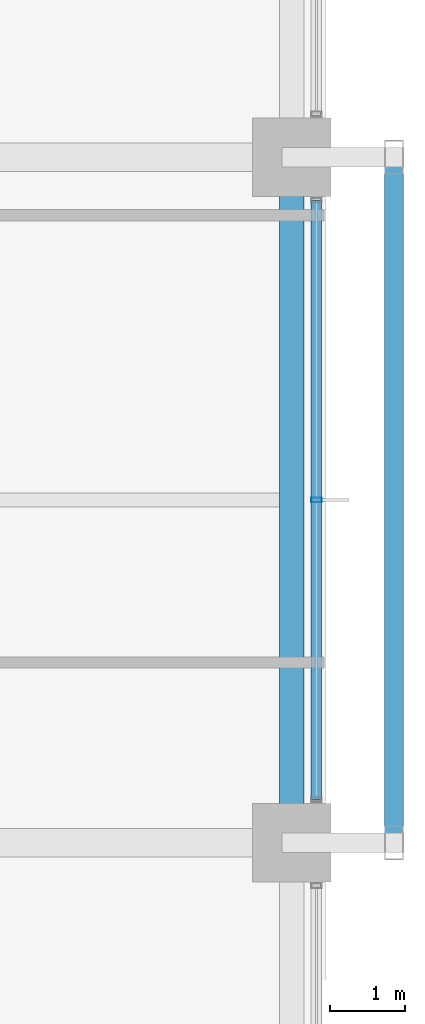
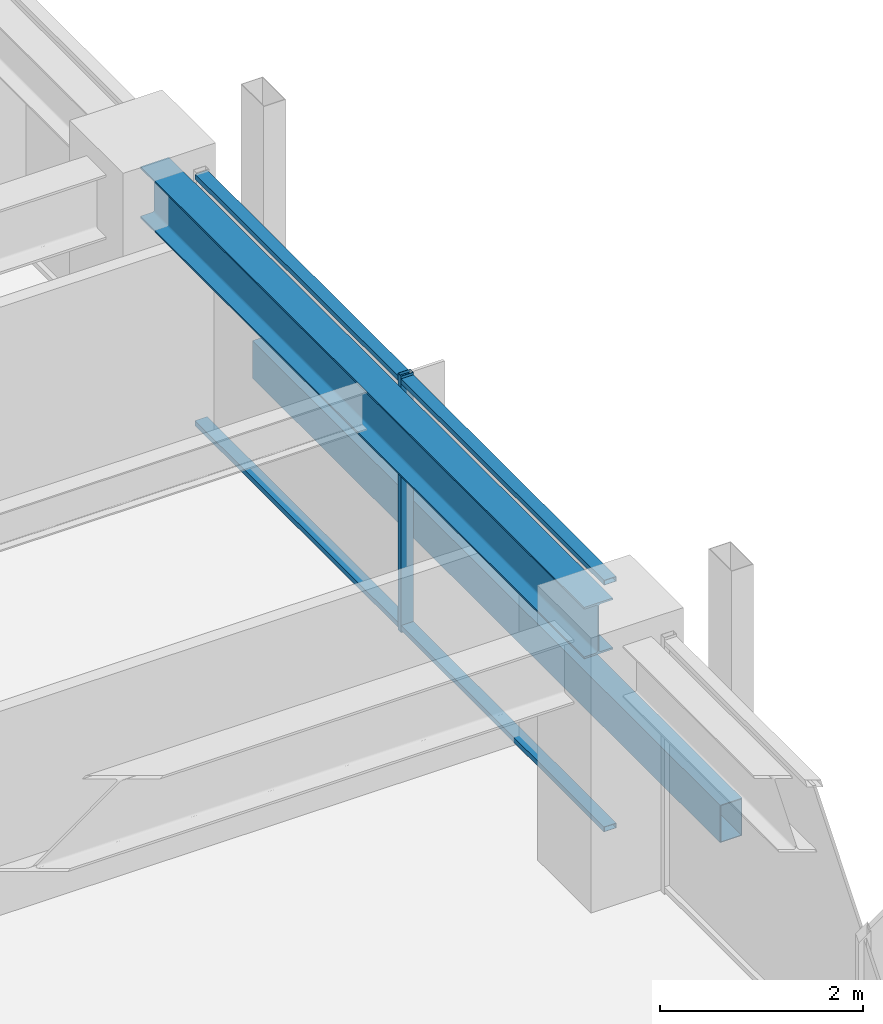
# One storey, part 16 of 38: 4 members, 1 beam, 1 element without a shape of its own.
"""IFC4 building model written with IfcOpenShell, lengths in metres."""

from ifc_helpers import new_model, si_unit, direction, frame, origin, origin_2d, place, context, subcontext, project, spatial, hollow_rectangle, i_section, extrude, material, material_profile, profile_set, type_object, element, aggregate, save


model = new_model("IFC4")

# Units and contexts
model_context = context("Model", 3, precision=1e-05, world=origin(), true_north=direction((0.0, 1.0)))
body_context = subcontext(model_context, "Body", "Model", "MODEL_VIEW")
ifc_project = project(units=[si_unit("LENGTHUNIT", "METRE"), si_unit("AREAUNIT", "SQUARE_METRE"), si_unit("VOLUMEUNIT", "CUBIC_METRE"), si_unit("PLANEANGLEUNIT", "RADIAN"), si_unit("MASSUNIT", "GRAM", prefix="KILO")], contexts=[model_context])

# Site, building, storey
site_placement = place(None, origin())
site = spatial("IfcSite", under=ifc_project, at=site_placement, CompositionType="ELEMENT")
building_placement = place(site_placement, origin())
building = spatial("IfcBuilding", under=site, at=building_placement, Name="Kolvaren Belvedere", CompositionType="ELEMENT")
storey_placement = place(building_placement, frame((0.0, 0.0, 72.199951171875)))
storey = spatial("IfcBuildingStorey", under=building, at=storey_placement, Name="L20", CompositionType="ELEMENT", Elevation=72.199951171875)

# Beam
ifc_material_1 = material(Name="Structural steel ASTM A992 Grade 50", Category="steel")
ifc_material_profile_1 = material_profile(ifc_material_1, i_section(OverallWidth=0.324951171875, OverallDepth=0.615966796875, WebThickness=0.013916015625, FlangeThickness=0.021484375, FilletRadius=0.02001953125, at=origin_2d()), Name="W24X117")
ifc_profile_set_1 = profile_set([ifc_material_profile_1], Name="Structural steel ASTM A992 Grade 50")
beam_type = type_object("IfcBeamType", Name="BM-SPAN-W24X117", PredefinedType="SPANDREL", material=ifc_profile_set_1)
beam_placement = place(storey_placement, frame((19.949951171875, -4.36376953125, 2.77197265625), z_axis=(0.0, 1.0, 0.0), x_axis=(-1.0, 0.0, 0.0)))
element("IfcBeam", 1, at=beam_placement, inside=storey, type_object=beam_type, Name="L20 Perimeter Spandrel E2-E3", PredefinedType="SPANDREL", context=body_context, shape_type="SweptSolid", body=[
    extrude(i_section(OverallWidth=0.324951171875, OverallDepth=0.615966796875, WebThickness=0.013916015625, FlangeThickness=0.021484375, FilletRadius=0.02001953125, at=origin_2d()), origin(), (0.0, 0.0, 1.0), 8.7275390625),
])

# Curtain wall, members
ifc_material_2 = material(Name="Anodised pale-metal aluminium AA 6063-T6", Category="aluminium")
curtain_wall_type = type_object("IfcCurtainWallType", Name="CW-Z2-MID", PredefinedType="NOTDEFINED", material=ifc_material_2)
curtain_wall_placement = place(storey_placement, origin())
curtain_wall = element("IfcCurtainWall", 2, at=curtain_wall_placement, inside=storey, type_object=curtain_wall_type, Name="L20 Unitised Curtain Wall FCW-L20-E-B2", PredefinedType="NOTDEFINED")
ifc_material_3 = material(Name="Anodised pale-metal aluminium AA 6063-T6", Category="aluminium")
ifc_material_profile_2 = material_profile(ifc_material_3, hollow_rectangle(XDim=0.06494140625, YDim=0.139892578125, WallThickness=0.00390625, at=origin_2d()), Name="ALU-MUL-140X65")
ifc_profile_set_2 = profile_set([ifc_material_profile_2], Name="Anodised pale-metal aluminium AA 6063-T6")
member_type_1 = type_object("IfcMemberType", Name="CW-MUL-140", PredefinedType="MULLION", material=ifc_profile_set_2)
member_1_placement = place(storey_placement, frame((20.280029296875, 0.0, 0.0), z_axis=(0.0, 0.0, 1.0), x_axis=(0.0, 1.0, 0.0)))
member_1 = element("IfcMember", 3, at=member_1_placement, type_object=member_type_1, Name="FCW-L20-E-B2 Unitised Mullion 2", PredefinedType="MULLION", context=body_context, shape_type="SweptSolid", body=[
    extrude(hollow_rectangle(XDim=0.06494140625, YDim=0.139892578125, WallThickness=0.00390625, at=origin_2d()), origin(), (0.0, 0.0, 1.0), 3.080078125),
])
ifc_material_4 = material(Name="Anodised pale-metal aluminium AA 6063-T6", Category="aluminium")
ifc_material_profile_3 = material_profile(ifc_material_4, hollow_rectangle(XDim=0.06005859375, YDim=0.139892578125, WallThickness=0.00390625, at=origin_2d()), Name="ALU-TRN-140X60")
ifc_profile_set_3 = profile_set([ifc_material_profile_3], Name="Anodised pale-metal aluminium AA 6063-T6")
member_type_2 = type_object("IfcMemberType", Name="CW-TRN-140", PredefinedType="USERDEFINED", material=ifc_profile_set_3)
member_2_placement = place(storey_placement, frame((20.280029296875, 4.0224609375, 0.06005859375), z_axis=(0.0, -1.0, 0.0), x_axis=(0.0, 0.0, 1.0)))
member_2 = element("IfcMember", 4, at=member_2_placement, type_object=member_type_2, Name="FCW-L20-E-B2 Sill Transom", ObjectType="TRANSOM", PredefinedType="USERDEFINED", context=body_context, shape_type="SweptSolid", body=[
    extrude(hollow_rectangle(XDim=0.06005859375, YDim=0.139892578125, WallThickness=0.00390625, at=origin_2d()), origin(), (0.0, 0.0, 1.0), 8.044921875),
])
member_3_placement = place(storey_placement, frame((20.280029296875, 4.0224609375, 3.02001953125), z_axis=(0.0, -1.0, 0.0), x_axis=(0.0, 0.0, 1.0)))
member_3 = element("IfcMember", 5, at=member_3_placement, type_object=member_type_2, Name="FCW-L20-E-B2 Head Transom", ObjectType="TRANSOM", PredefinedType="USERDEFINED", context=body_context, shape_type="SweptSolid", body=[
    extrude(hollow_rectangle(XDim=0.06005859375, YDim=0.139892578125, WallThickness=0.00390625, at=origin_2d()), origin(), (0.0, 0.0, 1.0), 8.044921875),
])
aggregate(curtain_wall, [member_1, member_2, member_3])

# Member
ifc_material_5 = material(Name="Anodised pale-metal aluminium AA 6063-T6", Category="aluminium")
ifc_material_profile_4 = material_profile(ifc_material_5, hollow_rectangle(XDim=0.25, YDim=0.449951171875, WallThickness=0.008544921875, at=origin_2d()), Name="ALU-PF-450X250")
ifc_profile_set_4 = profile_set([ifc_material_profile_4], Name="Anodised pale-metal aluminium AA 6063-T6")
member_type_3 = type_object("IfcMemberType", Name="PF-FRAME-450", PredefinedType="USERDEFINED", material=ifc_profile_set_4)
member_4_placement = place(storey_placement, frame((21.320068359375, 4.60009765625, 0.130126953125), z_axis=(0.0, -1.0, 0.0), x_axis=(1.0, 0.0, 0.0)))
element("IfcMember", 6, at=member_4_placement, inside=storey, type_object=member_type_3, Name="L20 Outboard Picture-Frame Sill E", ObjectType="PICTURE FRAME FIN", PredefinedType="USERDEFINED", context=body_context, shape_type="SweptSolid", body=[
    extrude(hollow_rectangle(XDim=0.25, YDim=0.449951171875, WallThickness=0.008544921875, at=origin_2d()), origin(), (0.0, 0.0, 1.0), 9.2001953125),
])

save(model, "model.ifc")
